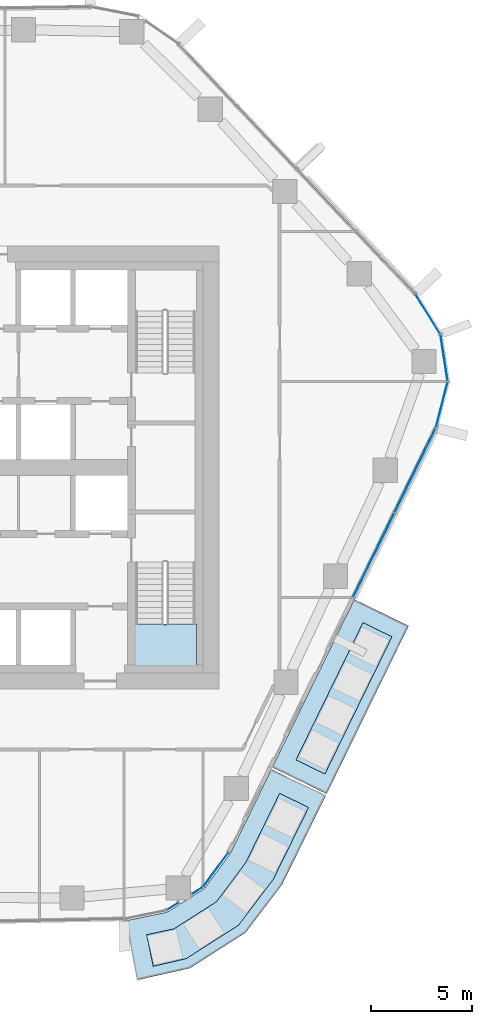
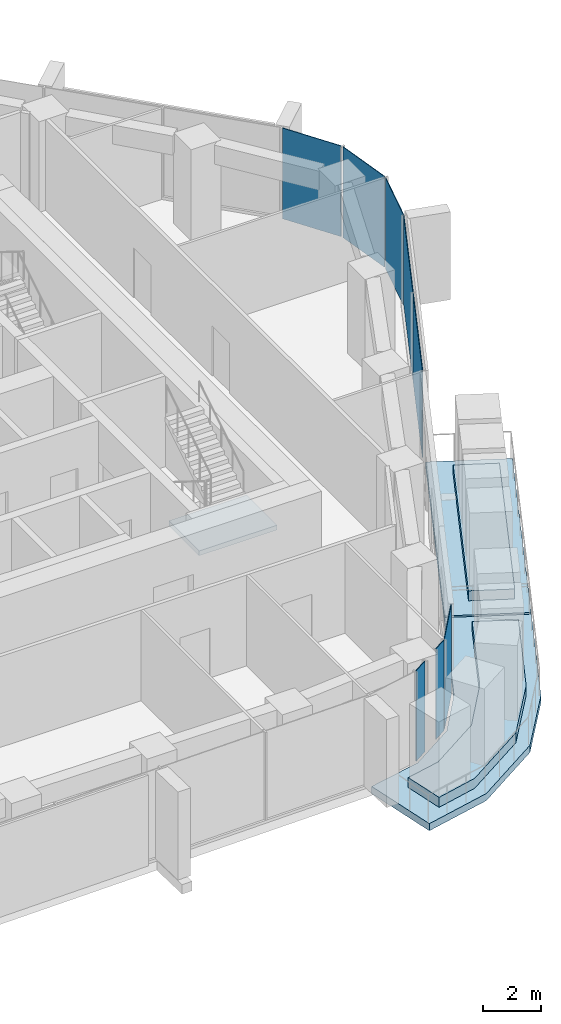
# One storey, part 10 of 18: 8 plates, 5 slabs, 5 elements without a shape of their own.
"""IFC4 building model written with IfcOpenShell, lengths in metres."""

from ifc_helpers import new_model, si_unit, direction, frame, origin, origin_2d, place, context, subcontext, project, spatial, polyline, rectangle, outline, extrude, material, layer, layer_set, type_object, element, aggregate, save


model = new_model("IFC4")

# Units and contexts
model_context = context("Model", 3, precision=1e-05, world=origin(), true_north=direction((0.0, 1.0)))
body_context = subcontext(model_context, "Body", "Model", "MODEL_VIEW")
ifc_project = project(units=[si_unit("LENGTHUNIT", "METRE"), si_unit("AREAUNIT", "SQUARE_METRE"), si_unit("VOLUMEUNIT", "CUBIC_METRE"), si_unit("PLANEANGLEUNIT", "RADIAN"), si_unit("MASSUNIT", "GRAM", prefix="KILO")], contexts=[model_context])

# Site, building, storey
site_placement = place(None, origin())
site = spatial("IfcSite", under=ifc_project, at=site_placement, CompositionType="ELEMENT")
building_placement = place(site_placement, origin())
building = spatial("IfcBuilding", under=site, at=building_placement, Name="Dongbaek Canopy Tower", CompositionType="ELEMENT")
storey_placement = place(building_placement, frame((0.0, 0.0, 162.800048828125)))
storey = spatial("IfcBuildingStorey", under=building, at=storey_placement, Name="L35", CompositionType="ELEMENT", Elevation=162.800048828125)

# Slabs
ifc_material_1 = material(Name="Concrete C40/50", Category="concrete")
ifc_layer_1 = layer(ifc_material_1, 0.300048828125)
ifc_layer_set_1 = layer_set([ifc_layer_1], Name="Balcony slab 300")
slab_type_1 = type_object("IfcSlabType", Name="Balcony slab 300", PredefinedType="FLOOR", material=ifc_layer_set_1)
slab_1_placement = place(storey_placement, frame((0.0, 0.0, -0.300048828125)))
element("IfcSlab", 1, at=slab_1_placement, inside=storey, type_object=slab_type_1, Name="Balcony L35 2", PredefinedType="FLOOR", context=body_context, shape_type="SweptSolid", body=[
    extrude(outline(polyline([(16.64453125, -14.889892578125), (20.717041015625, -6.546875), (23.4130859375, -7.86279296875), (19.34033203125, -16.2060546875), (16.64453125, -14.889892578125)])), origin(), (0.0, 0.0, 1.0), 0.300048828125),
])
slab_2_placement = place(storey_placement, frame((0.0, 0.0, -0.300048828125)))
element("IfcSlab", 2, at=slab_2_placement, inside=storey, type_object=slab_type_1, Name="Balcony L35 4", PredefinedType="FLOOR", context=body_context, shape_type="SweptSolid", body=[
    extrude(outline(polyline([(9.344482421875, -22.508056640625), (11.4306640625, -22.078125), (13.267822265625, -20.904296875), (14.564208984375, -19.1513671875), (16.6005859375, -14.979736328125), (19.296630859375, -16.2958984375), (17.12890625, -20.707763671875), (15.315673828125, -23.0966796875), (12.559814453125, -24.857666015625), (9.949951171875, -25.4462890625), (9.344482421875, -22.508056640625)])), origin(), (0.0, 0.0, 1.0), 0.300048828125),
])

# Curtain wall, plates
ifc_material_2 = material(Name="Aluminium 6063-T6 pale anodised", Category="aluminium")
ifc_layer_2 = layer(ifc_material_2, 0.199951171875)
ifc_layer_set_2 = layer_set([ifc_layer_2], Name="CW-1 unitised tower curtain wall")
curtain_wall_type = type_object("IfcCurtainWallType", Name="CW-1 unitised tower curtain wall", PredefinedType="NOTDEFINED", material=ifc_layer_set_2)
curtain_wall_1_placement = place(storey_placement, origin())
curtain_wall_1 = element("IfcCurtainWall", 3, at=curtain_wall_1_placement, inside=storey, type_object=curtain_wall_type, Name="CW-1 curtain wall K0.1", PredefinedType="NOTDEFINED")
ifc_material_3 = material(Name="Clear laminated glass", Category="glass")
ifc_layer_3 = layer(ifc_material_3, 0.028076171875)
ifc_layer_set_3 = layer_set([ifc_layer_3], Name="CW-1 glazed panel 28")
plate_type = type_object("IfcPlateType", Name="CW-1 glazed panel 28", PredefinedType="CURTAIN_PANEL", material=ifc_layer_set_3)
plate_1_placement = place(storey_placement, frame((25.0576171875, 3.11767578125, 0.0), z_axis=(0.0, 0.0, 1.0), x_axis=(0.249304611313, 0.968425118829, 0.0)))
plate_1 = element("IfcPlate", 4, at=plate_1_placement, type_object=plate_type, Name="CW-1 panel K0.1.1.1", PredefinedType="CURTAIN_PANEL", context=body_context, shape_type="SweptSolid", body=[
    extrude(rectangle(XDim=2.294677734375, YDim=0.028076171875, at=origin_2d()), origin(), (0.0, 0.0, 1.0), 3.820068359375),
])
plate_2_placement = place(storey_placement, frame((25.174560546875, 5.43994140625, 0.0), z_axis=(0.0, 0.0, 1.0), x_axis=(-0.151749532381, 0.988418979695, 0.0)))
plate_2 = element("IfcPlate", 5, at=plate_2_placement, type_object=plate_type, Name="CW-1 panel K0.1.2.1", PredefinedType="CURTAIN_PANEL", context=body_context, shape_type="SweptSolid", body=[
    extrude(rectangle(XDim=2.284423828125, YDim=0.028076171875, at=origin_2d()), origin(), (0.0, 0.0, 1.0), 3.820068359375),
])
plate_3_placement = place(storey_placement, frame((24.366455078125, 7.6201171875, 0.0), z_axis=(0.0, 0.0, 1.0), x_axis=(-0.528334947063, 0.849036032046, 0.0)))
plate_3 = element("IfcPlate", 6, at=plate_3_placement, type_object=plate_type, Name="CW-1 panel K0.1.3.1", PredefinedType="CURTAIN_PANEL", context=body_context, shape_type="SweptSolid", body=[
    extrude(rectangle(XDim=2.294677734375, YDim=0.028076171875, at=origin_2d()), origin(), (0.0, 0.0, 1.0), 3.820068359375),
])
aggregate(curtain_wall_1, [plate_1, plate_2, plate_3])

# Curtain wall, plate
curtain_wall_2_placement = place(storey_placement, origin())
curtain_wall_2 = element("IfcCurtainWall", 7, at=curtain_wall_2_placement, inside=storey, type_object=curtain_wall_type, Name="CW-1 curtain wall K5.1a", PredefinedType="NOTDEFINED")
plate_4_placement = place(storey_placement, frame((11.697265625, -21.789306640625, 0.0), z_axis=(0.0, 0.0, 1.0), x_axis=(0.842655564511, 0.538452968789, 0.0)))
plate_4 = element("IfcPlate", 8, at=plate_4_placement, type_object=plate_type, Name="CW-1 panel K5.1a.2.1", PredefinedType="CURTAIN_PANEL", context=body_context, shape_type="SweptSolid", body=[
    extrude(rectangle(XDim=0.63916015625, YDim=0.028076171875, at=origin_2d()), origin(), (0.0, 0.0, 1.0), 3.820068359375),
])
aggregate(curtain_wall_2, [plate_4])

# Curtain wall, plates
curtain_wall_3_placement = place(storey_placement, origin())
curtain_wall_3 = element("IfcCurtainWall", 9, at=curtain_wall_3_placement, inside=storey, type_object=curtain_wall_type, Name="CW-1 curtain wall K5.1b", PredefinedType="NOTDEFINED")
plate_5_placement = place(storey_placement, frame((12.920166015625, -21.0078125, 0.0), z_axis=(0.0, 0.0, 1.0), x_axis=(0.842655564511, 0.538452968789, 0.0)))
plate_5 = element("IfcPlate", 10, at=plate_5_placement, type_object=plate_type, Name="CW-1 panel K5.1b.1.1", PredefinedType="CURTAIN_PANEL", context=body_context, shape_type="SweptSolid", body=[
    extrude(rectangle(XDim=0.576416015625, YDim=0.028076171875, at=origin_2d()), origin(), (0.0, 0.0, 1.0), 3.820068359375),
])
plate_6_placement = place(storey_placement, frame((13.83837890625, -19.964599609375, 0.0), z_axis=(0.0, 0.0, 1.0), x_axis=(0.594631213935, 0.803998581724, 0.0)))
plate_6 = element("IfcPlate", 11, at=plate_6_placement, type_object=plate_type, Name="CW-1 panel K5.1b.2.1", PredefinedType="CURTAIN_PANEL", context=body_context, shape_type="SweptSolid", body=[
    extrude(rectangle(XDim=2.068603515625, YDim=0.028076171875, at=origin_2d()), origin(), (0.0, 0.0, 1.0), 3.820068359375),
])
aggregate(curtain_wall_3, [plate_5, plate_6])

curtain_wall_4_placement = place(storey_placement, origin())
curtain_wall_4 = element("IfcCurtainWall", 12, at=curtain_wall_4_placement, inside=storey, type_object=curtain_wall_type, Name="CW-1 curtain wall F5.1", PredefinedType="NOTDEFINED")
plate_7_placement = place(storey_placement, frame((21.67822265625, -4.349853515625, 0.1201171875), z_axis=(0.0, 0.0, 1.0), x_axis=(0.438664685403, 0.898650818606, 0.0)))
plate_7 = element("IfcPlate", 13, at=plate_7_placement, type_object=plate_type, Name="CW-1 panel F5.1.1.1", PredefinedType="CURTAIN_PANEL", context=body_context, shape_type="SweptSolid", body=[
    extrude(rectangle(XDim=4.608154296875, YDim=0.028076171875, at=origin_2d()), origin(), (0.0, 0.0, 1.0), 3.699951171875),
])
plate_8_placement = place(storey_placement, frame((23.734130859375, -0.1376953125, 0.1201171875), z_axis=(0.0, 0.0, 1.0), x_axis=(0.438664685403, 0.898650818606, 0.0)))
plate_8 = element("IfcPlate", 14, at=plate_8_placement, type_object=plate_type, Name="CW-1 panel F5.1.2.1", PredefinedType="CURTAIN_PANEL", context=body_context, shape_type="SweptSolid", body=[
    extrude(rectangle(XDim=4.597900390625, YDim=0.028076171875, at=origin_2d()), origin(), (0.0, 0.0, 1.0), 3.699951171875),
])
aggregate(curtain_wall_4, [plate_7, plate_8])

# Stair, slab
ifc_material_4 = material(Name="Concrete C40/50", Category="concrete")
stair_type = type_object("IfcStairType", Name="Core exit stair", PredefinedType="HALF_TURN_STAIR", material=ifc_material_4)
stair_placement = place(storey_placement, origin())
stair = element("IfcStair", 15, at=stair_placement, inside=storey, type_object=stair_type, Name="L35 exit stair B", PredefinedType="HALF_TURN_STAIR")
ifc_material_5 = material(Name="Concrete C40/50", Category="concrete")
ifc_layer_4 = layer(ifc_material_5, 0.199951171875)
ifc_layer_set_4 = layer_set([ifc_layer_4], Name="Core stair landing 200")
slab_type_2 = type_object("IfcSlabType", Name="Core stair landing 200", PredefinedType="LANDING", material=ifc_layer_set_4)
slab_3_placement = place(storey_placement, frame((0.0, 0.0, 1.89990234375)))
slab_3 = element("IfcSlab", 16, at=slab_3_placement, type_object=slab_type_2, Name="ST-B landing 1", PredefinedType="LANDING", context=body_context, shape_type="SweptSolid", body=[
    extrude(outline(polyline([(9.77490234375, -7.780029296875), (9.77490234375, -9.875), (12.875, -9.875), (12.875, -7.780029296875), (9.77490234375, -7.780029296875)])), origin(), (0.0, 0.0, 1.0), 0.199951171875),
])
aggregate(stair, [slab_3])

# Slabs
ifc_material_6 = material(Name="Reinforced concrete C40/50 planter box with soil", Category="concrete")
ifc_layer_5 = layer(ifc_material_6, 0.419921875)
ifc_layer_set_5 = layer_set([ifc_layer_5], Name="Terrace planter box 1600 x 420")
slab_type_3 = type_object("IfcSlabType", Name="Terrace planter box 1600 x 420", PredefinedType="USERDEFINED", material=ifc_layer_set_5)
slab_4_placement = place(storey_placement, origin())
element("IfcSlab", 17, at=slab_4_placement, inside=storey, type_object=slab_type_3, Name="Balcony planter L35 2", ObjectType="PLANTER", PredefinedType="USERDEFINED", context=body_context, shape_type="SweptSolid", body=[
    extrude(outline(polyline([(17.817138671875, -14.5166015625), (21.14404296875, -7.701171875), (22.581787109375, -8.40283203125), (19.2548828125, -15.218505859375), (17.817138671875, -14.5166015625)])), origin(), (0.0, 0.0, 1.0), 0.419921875),
])
slab_5_placement = place(storey_placement, origin())
element("IfcSlab", 18, at=slab_5_placement, inside=storey, type_object=slab_type_3, Name="Balcony planter L35 4", ObjectType="PLANTER", PredefinedType="USERDEFINED", context=body_context, shape_type="SweptSolid", body=[
    extrude(outline(polyline([(10.405517578125, -23.1982421875), (11.765625, -22.90283203125), (13.875244140625, -21.5546875), (15.3251953125, -19.61328125), (17.005615234375, -16.178955078125), (18.443359375, -16.880859375), (16.69287109375, -20.443359375), (14.967529296875, -22.723876953125), (12.367919921875, -24.385009765625), (10.728515625, -24.76513671875), (10.405517578125, -23.1982421875)])), origin(), (0.0, 0.0, 1.0), 0.419921875),
])

save(model, "model.ifc")
